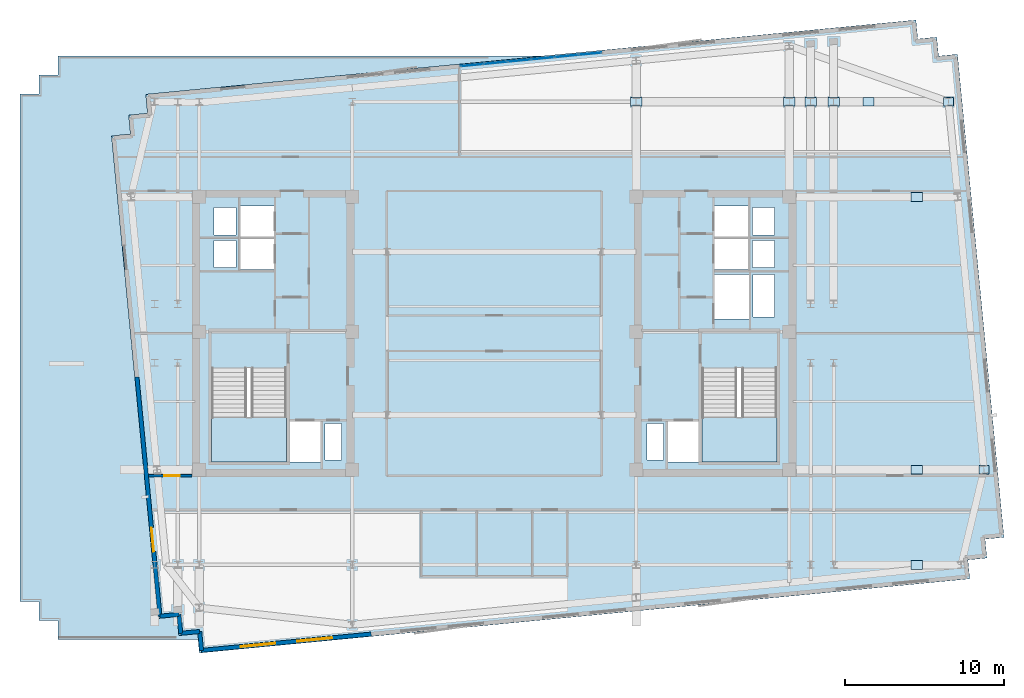
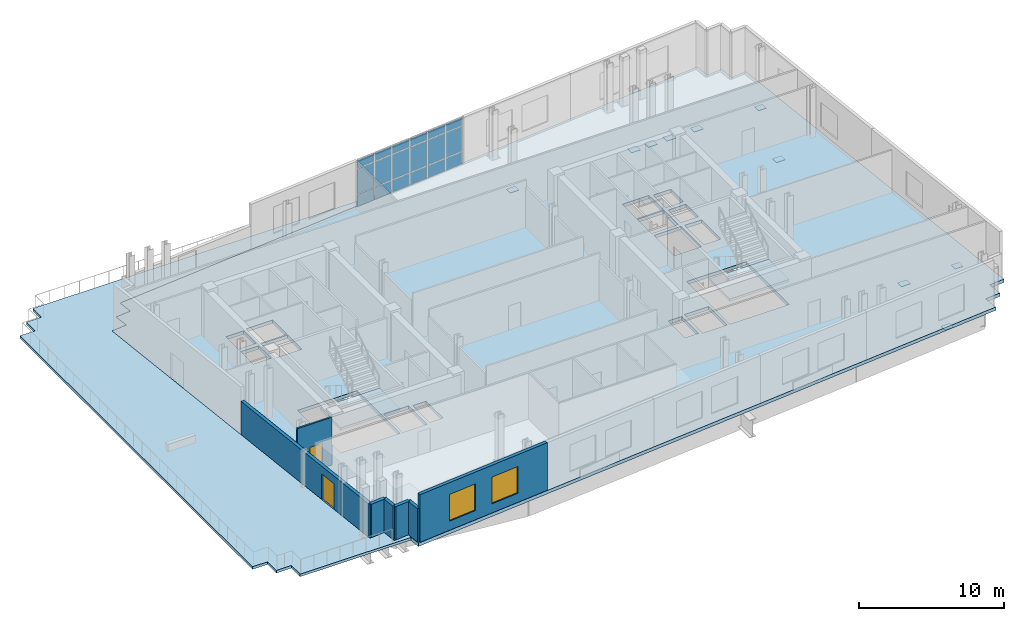
# One storey, part 4 of 11: 28 plates, 7 walls, 4 slabs, 2 doors, 2 windows, 4 openings, 3 elements without a shape of their own.
"""IFC4 building model written with IfcOpenShell, lengths in metres."""

from ifc_helpers import new_model, si_unit, direction, frame, frame_2d, origin, origin_2d, place, context, subcontext, project, spatial, polyline, rectangle, outline, extrude, material, layer, layer_set, type_object, element, fill, aggregate, save


model = new_model("IFC4")

# Units and contexts
model_context = context("Model", 3, precision=1e-05, world=origin(), true_north=direction((0.0, 1.0)))
body_context = subcontext(model_context, "Body", "Model", "MODEL_VIEW")
ifc_project = project(units=[si_unit("LENGTHUNIT", "METRE"), si_unit("AREAUNIT", "SQUARE_METRE"), si_unit("VOLUMEUNIT", "CUBIC_METRE"), si_unit("PLANEANGLEUNIT", "RADIAN"), si_unit("MASSUNIT", "GRAM", prefix="KILO")], contexts=[model_context])

# Site, building, storey
site_placement = place(None, origin())
site = spatial("IfcSite", under=ifc_project, at=site_placement, CompositionType="ELEMENT")
building_placement = place(site_placement, origin())
building = spatial("IfcBuilding", under=site, at=building_placement, Name="Velakula Bourse", CompositionType="ELEMENT")
storey_placement = place(building_placement, frame((0.0, 0.0, 247.5)))
storey = spatial("IfcBuildingStorey", under=building, at=storey_placement, Name="L67", CompositionType="ELEMENT", Elevation=247.5)

# Plates
ifc_material_1 = material(Name="Steel IS 2062 Grade 350 (E350)", Category="steel")
ifc_layer_1 = layer(ifc_material_1, 0.0400390625, Name="Steel IS 2062 Grade 350 (E350)", Category="steel")
ifc_layer_set_1 = layer_set([ifc_layer_1], Name="Steel IS 2062 Grade 350 (E350)")
plate_type_1 = type_object("IfcPlateType", Name="PLT-NODE-TRF", PredefinedType="USERDEFINED", material=ifc_layer_set_1)
for number, where, z_axis, x_axis, name in (
    (1, (8.949951171875, 14.60009765625, -1.050048828125), (0.0, 0.0, 1.0), (0.0, 1.0, 0.0), "L67 Cantilever Fulcrum Node Gusset Plate N3"),
    (2, (18.60009765625, 14.60009765625, -1.050048828125), (0.0, 0.0, 1.0), (0.0, 1.0, 0.0), "L67 Cantilever Fulcrum Node Gusset Plate N4"),
):
    element("IfcPlate", number, at=place(storey_placement, frame(where, z_axis=z_axis, x_axis=x_axis)), inside=storey, type_object=plate_type_1, Name=name, ObjectType="GUSSET PLATE", PredefinedType="USERDEFINED", context=body_context, shape_type="SweptSolid", body=[
        extrude(rectangle(XDim=0.56005859375, YDim=0.719970703125, at=origin_2d()), origin(), (0.0, 0.0, 1.0), 0.0400390625),
    ])
plate_1_placement = place(storey_placement, frame((26.64990234375, -14.60009765625, -1.050048828125), z_axis=(0.0, 0.0, 1.0), x_axis=(1.0, 0.0, 0.0)))
element("IfcPlate", 3, at=plate_1_placement, inside=storey, type_object=plate_type_1, Name="L67 Cantilever Fulcrum Node Gusset Plate E1", ObjectType="GUSSET PLATE", PredefinedType="USERDEFINED", context=body_context, shape_type="SweptSolid", body=[
    extrude(rectangle(XDim=0.719970703125, YDim=0.56005859375, at=origin_2d()), origin(), (0.0, 0.0, 1.0), 0.0400390625),
])
plate_2_placement = place(storey_placement, frame((30.87890625, -8.60009765625, -1.050048828125), z_axis=(0.0, 0.0, 1.0), x_axis=(1.0, 0.0, 0.0)))
element("IfcPlate", 4, at=plate_2_placement, inside=storey, type_object=plate_type_1, Name="L67 Transfer Raking Strut Head Gusset E2", ObjectType="GUSSET PLATE", PredefinedType="USERDEFINED", context=body_context, shape_type="SweptSolid", body=[
    extrude(rectangle(XDim=0.639892578125, YDim=0.56005859375, at=origin_2d()), origin(), (0.0, 0.0, 1.0), 0.0400390625),
])
for number, where, z_axis, x_axis, name in (
    (5, (26.64990234375, -8.60009765625, -1.050048828125), (0.0, 0.0, 1.0), (1.0, 0.0, 0.0), "L67 Cantilever Fulcrum Node Gusset Plate E2"),
    (6, (26.64990234375, 8.60009765625, -1.050048828125), (0.0, 0.0, 1.0), (1.0, 0.0, 0.0), "L67 Cantilever Fulcrum Node Gusset Plate E3"),
):
    element("IfcPlate", number, at=place(storey_placement, frame(where, z_axis=z_axis, x_axis=x_axis)), inside=storey, type_object=plate_type_1, Name=name, ObjectType="GUSSET PLATE", PredefinedType="USERDEFINED", context=body_context, shape_type="SweptSolid", body=[
        extrude(rectangle(XDim=0.719970703125, YDim=0.56005859375, at=origin_2d()), origin(), (0.0, 0.0, 1.0), 0.0400390625),
    ])
plate_3_placement = place(storey_placement, frame((28.64501953125, 14.60009765625, -1.050048828125), z_axis=(0.0, 0.0, 1.0), x_axis=(1.0, 0.0, 0.0)))
element("IfcPlate", 7, at=plate_3_placement, inside=storey, type_object=plate_type_1, Name="L67 Transfer Raking Strut Head Gusset E4", ObjectType="GUSSET PLATE", PredefinedType="USERDEFINED", context=body_context, shape_type="SweptSolid", body=[
    extrude(rectangle(XDim=0.639892578125, YDim=0.56005859375, at=origin_2d()), origin(), (0.0, 0.0, 1.0), 0.0400390625),
])
plate_4_placement = place(storey_placement, frame((23.60009765625, 14.60009765625, -1.050048828125), z_axis=(0.0, 0.0, 1.0), x_axis=(1.0, 0.0, 0.0)))
element("IfcPlate", 8, at=plate_4_placement, inside=storey, type_object=plate_type_1, Name="L67 Cantilever Fulcrum Node Gusset Plate E4", ObjectType="GUSSET PLATE", PredefinedType="USERDEFINED", context=body_context, shape_type="SweptSolid", body=[
    extrude(rectangle(XDim=0.719970703125, YDim=0.56005859375, at=origin_2d()), origin(), (0.0, 0.0, 1.0), 0.0400390625),
])
for number, where, z_axis, x_axis, name in (
    (9, (19.949951171875, 14.60009765625, -1.050048828125), (0.0, 0.0, 1.0), (0.0, 1.0, 0.0), "L67 Cantilever Fulcrum Node Gusset Plate P07"),
    (10, (21.39990234375, 14.60009765625, -1.050048828125), (0.0, 0.0, 1.0), (0.0, 1.0, 0.0), "L67 Cantilever Fulcrum Node Gusset Plate P08"),
):
    element("IfcPlate", number, at=place(storey_placement, frame(where, z_axis=z_axis, x_axis=x_axis)), inside=storey, type_object=plate_type_1, Name=name, ObjectType="GUSSET PLATE", PredefinedType="USERDEFINED", context=body_context, shape_type="SweptSolid", body=[
        extrude(rectangle(XDim=0.56005859375, YDim=0.719970703125, at=origin_2d()), origin(), (0.0, 0.0, 1.0), 0.0400390625),
    ])

# Curtain wall, plates
ifc_material_2 = material(Name="Anodised bronze architectural aluminium", Category="aluminium")
ifc_layer_2 = layer(ifc_material_2, 0.1650390625, Name="Anodised bronze architectural aluminium", Category="aluminium")
ifc_layer_set_2 = layer_set([ifc_layer_2], Name="Anodised bronze architectural aluminium")
curtain_wall_type = type_object("IfcCurtainWallType", Name="CW-SL1", PredefinedType="NOTDEFINED", material=ifc_layer_set_2)
curtain_wall_placement = place(storey_placement, origin())
curtain_wall = element("IfcCurtainWall", 11, at=curtain_wall_placement, inside=storey, type_object=curtain_wall_type, Name="L67 Sky-Lobby Feature Curtain Wall", PredefinedType="NOTDEFINED")
ifc_material_3 = material(Name="Double-glazed solar-control Low-E glass", Category="glass")
ifc_layer_3 = layer(ifc_material_3, 0.02490234375, Name="Double-glazed solar-control Low-E glass", Category="glass")
ifc_layer_set_3 = layer_set([ifc_layer_3], Name="Double-glazed solar-control Low-E glass")
plate_type_2 = type_object("IfcPlateType", Name="PNL-CW-SL1", PredefinedType="CURTAIN_PANEL", material=ifc_layer_set_3)
plate_5_placement = place(storey_placement, frame((-1.39990234375, 16.9111328125, 0.06005859375), z_axis=(0.0, 0.0, 1.0), x_axis=(0.995396358085, 0.095844093769, 0.0)))
plate_5 = element("IfcPlate", 12, at=plate_5_placement, type_object=plate_type_2, Name="CW-SL1 panel 1.1", PredefinedType="CURTAIN_PANEL", context=body_context, shape_type="SweptSolid", body=[
    extrude(rectangle(XDim=1.409912109375, YDim=0.028076171875, at=origin_2d()), origin(), (0.0, 0.0, 1.0), 1.010009765625),
])
plate_6_placement = place(storey_placement, frame((-1.39990234375, 16.9111328125, 1.1298828125), z_axis=(0.0, 0.0, 1.0), x_axis=(0.995396358085, 0.095844093769, 0.0)))
plate_6 = element("IfcPlate", 13, at=plate_6_placement, type_object=plate_type_2, Name="CW-SL1 panel 1.2", PredefinedType="CURTAIN_PANEL", context=body_context, shape_type="SweptSolid", body=[
    extrude(rectangle(XDim=1.409912109375, YDim=0.028076171875, at=origin_2d()), origin(), (0.0, 0.0, 1.0), 2.090087890625),
])
plate_7_placement = place(storey_placement, frame((-1.39990234375, 16.9111328125, 3.2802734375), z_axis=(0.0, 0.0, 1.0), x_axis=(0.995396358085, 0.095844093769, 0.0)))
plate_7 = element("IfcPlate", 14, at=plate_7_placement, type_object=plate_type_2, Name="CW-SL1 panel 1.3", PredefinedType="CURTAIN_PANEL", context=body_context, shape_type="SweptSolid", body=[
    extrude(rectangle(XDim=1.409912109375, YDim=0.028076171875, at=origin_2d()), origin(), (0.0, 0.0, 1.0), 0.659912109375),
])
plate_8_placement = place(storey_placement, frame((0.078369140625, 17.053466796875, 0.06005859375), z_axis=(0.0, 0.0, 1.0), x_axis=(0.995396358085, 0.095844093769, 0.0)))
plate_8 = element("IfcPlate", 15, at=plate_8_placement, type_object=plate_type_2, Name="CW-SL1 panel 2.1", PredefinedType="CURTAIN_PANEL", context=body_context, shape_type="SweptSolid", body=[
    extrude(rectangle(XDim=1.43994140625, YDim=0.028076171875, at=origin_2d()), origin(), (0.0, 0.0, 1.0), 1.010009765625),
])
plate_9_placement = place(storey_placement, frame((0.078369140625, 17.053466796875, 1.1298828125), z_axis=(0.0, 0.0, 1.0), x_axis=(0.995396358085, 0.095844093769, 0.0)))
plate_9 = element("IfcPlate", 16, at=plate_9_placement, type_object=plate_type_2, Name="CW-SL1 panel 2.2", PredefinedType="CURTAIN_PANEL", context=body_context, shape_type="SweptSolid", body=[
    extrude(rectangle(XDim=1.43994140625, YDim=0.028076171875, at=origin_2d()), origin(), (0.0, 0.0, 1.0), 2.090087890625),
])
plate_10_placement = place(storey_placement, frame((0.078369140625, 17.053466796875, 3.2802734375), z_axis=(0.0, 0.0, 1.0), x_axis=(0.995396358085, 0.095844093769, 0.0)))
plate_10 = element("IfcPlate", 17, at=plate_10_placement, type_object=plate_type_2, Name="CW-SL1 panel 2.3", PredefinedType="CURTAIN_PANEL", context=body_context, shape_type="SweptSolid", body=[
    extrude(rectangle(XDim=1.43994140625, YDim=0.028076171875, at=origin_2d()), origin(), (0.0, 0.0, 1.0), 0.659912109375),
])
plate_11_placement = place(storey_placement, frame((1.5712890625, 17.197265625, 0.06005859375), z_axis=(0.0, 0.0, 1.0), x_axis=(0.995396358085, 0.095844093769, 0.0)))
plate_11 = element("IfcPlate", 18, at=plate_11_placement, type_object=plate_type_2, Name="CW-SL1 panel 3.1", PredefinedType="CURTAIN_PANEL", context=body_context, shape_type="SweptSolid", body=[
    extrude(rectangle(XDim=1.43994140625, YDim=0.028076171875, at=origin_2d()), origin(), (0.0, 0.0, 1.0), 1.010009765625),
])
plate_12_placement = place(storey_placement, frame((1.5712890625, 17.197265625, 1.1298828125), z_axis=(0.0, 0.0, 1.0), x_axis=(0.995396358085, 0.095844093769, 0.0)))
plate_12 = element("IfcPlate", 19, at=plate_12_placement, type_object=plate_type_2, Name="CW-SL1 panel 3.2", PredefinedType="CURTAIN_PANEL", context=body_context, shape_type="SweptSolid", body=[
    extrude(rectangle(XDim=1.43994140625, YDim=0.028076171875, at=origin_2d()), origin(), (0.0, 0.0, 1.0), 2.090087890625),
])
plate_13_placement = place(storey_placement, frame((1.5712890625, 17.197265625, 3.2802734375), z_axis=(0.0, 0.0, 1.0), x_axis=(0.995396358085, 0.095844093769, 0.0)))
plate_13 = element("IfcPlate", 20, at=plate_13_placement, type_object=plate_type_2, Name="CW-SL1 panel 3.3", PredefinedType="CURTAIN_PANEL", context=body_context, shape_type="SweptSolid", body=[
    extrude(rectangle(XDim=1.43994140625, YDim=0.028076171875, at=origin_2d()), origin(), (0.0, 0.0, 1.0), 0.659912109375),
])
plate_14_placement = place(storey_placement, frame((3.064453125, 17.341064453125, 0.06005859375), z_axis=(0.0, 0.0, 1.0), x_axis=(0.995396358085, 0.095844093769, 0.0)))
plate_14 = element("IfcPlate", 21, at=plate_14_placement, type_object=plate_type_2, Name="CW-SL1 panel 4.1", PredefinedType="CURTAIN_PANEL", context=body_context, shape_type="SweptSolid", body=[
    extrude(rectangle(XDim=1.43994140625, YDim=0.028076171875, at=origin_2d()), origin(), (0.0, 0.0, 1.0), 1.010009765625),
])
plate_15_placement = place(storey_placement, frame((3.064453125, 17.341064453125, 1.1298828125), z_axis=(0.0, 0.0, 1.0), x_axis=(0.995396358085, 0.095844093769, 0.0)))
plate_15 = element("IfcPlate", 22, at=plate_15_placement, type_object=plate_type_2, Name="CW-SL1 panel 4.2", PredefinedType="CURTAIN_PANEL", context=body_context, shape_type="SweptSolid", body=[
    extrude(rectangle(XDim=1.43994140625, YDim=0.028076171875, at=origin_2d()), origin(), (0.0, 0.0, 1.0), 2.090087890625),
])
plate_16_placement = place(storey_placement, frame((3.064453125, 17.341064453125, 3.2802734375), z_axis=(0.0, 0.0, 1.0), x_axis=(0.995396358085, 0.095844093769, 0.0)))
plate_16 = element("IfcPlate", 23, at=plate_16_placement, type_object=plate_type_2, Name="CW-SL1 panel 4.3", PredefinedType="CURTAIN_PANEL", context=body_context, shape_type="SweptSolid", body=[
    extrude(rectangle(XDim=1.43994140625, YDim=0.028076171875, at=origin_2d()), origin(), (0.0, 0.0, 1.0), 0.659912109375),
])
plate_17_placement = place(storey_placement, frame((4.5576171875, 17.48486328125, 0.06005859375), z_axis=(0.0, 0.0, 1.0), x_axis=(0.995396358085, 0.095844093769, 0.0)))
plate_17 = element("IfcPlate", 24, at=plate_17_placement, type_object=plate_type_2, Name="CW-SL1 panel 5.1", PredefinedType="CURTAIN_PANEL", context=body_context, shape_type="SweptSolid", body=[
    extrude(rectangle(XDim=1.43994140625, YDim=0.028076171875, at=origin_2d()), origin(), (0.0, 0.0, 1.0), 1.010009765625),
])
plate_18_placement = place(storey_placement, frame((4.5576171875, 17.48486328125, 1.1298828125), z_axis=(0.0, 0.0, 1.0), x_axis=(0.995396358085, 0.095844093769, 0.0)))
plate_18 = element("IfcPlate", 25, at=plate_18_placement, type_object=plate_type_2, Name="CW-SL1 panel 5.2", PredefinedType="CURTAIN_PANEL", context=body_context, shape_type="SweptSolid", body=[
    extrude(rectangle(XDim=1.43994140625, YDim=0.028076171875, at=origin_2d()), origin(), (0.0, 0.0, 1.0), 2.090087890625),
])
plate_19_placement = place(storey_placement, frame((4.5576171875, 17.48486328125, 3.2802734375), z_axis=(0.0, 0.0, 1.0), x_axis=(0.995396358085, 0.095844093769, 0.0)))
plate_19 = element("IfcPlate", 26, at=plate_19_placement, type_object=plate_type_2, Name="CW-SL1 panel 5.3", PredefinedType="CURTAIN_PANEL", context=body_context, shape_type="SweptSolid", body=[
    extrude(rectangle(XDim=1.43994140625, YDim=0.028076171875, at=origin_2d()), origin(), (0.0, 0.0, 1.0), 0.659912109375),
])
plate_20_placement = place(storey_placement, frame((6.03564453125, 17.627197265625, 0.06005859375), z_axis=(0.0, 0.0, 1.0), x_axis=(0.995396358085, 0.095844093769, 0.0)))
plate_20 = element("IfcPlate", 27, at=plate_20_placement, type_object=plate_type_2, Name="CW-SL1 panel 6.1", PredefinedType="CURTAIN_PANEL", context=body_context, shape_type="SweptSolid", body=[
    extrude(rectangle(XDim=1.409912109375, YDim=0.028076171875, at=origin_2d()), origin(), (0.0, 0.0, 1.0), 1.010009765625),
])
plate_21_placement = place(storey_placement, frame((6.03564453125, 17.627197265625, 1.1298828125), z_axis=(0.0, 0.0, 1.0), x_axis=(0.995396358085, 0.095844093769, 0.0)))
plate_21 = element("IfcPlate", 28, at=plate_21_placement, type_object=plate_type_2, Name="CW-SL1 panel 6.2", PredefinedType="CURTAIN_PANEL", context=body_context, shape_type="SweptSolid", body=[
    extrude(rectangle(XDim=1.409912109375, YDim=0.028076171875, at=origin_2d()), origin(), (0.0, 0.0, 1.0), 2.090087890625),
])
plate_22_placement = place(storey_placement, frame((6.03564453125, 17.627197265625, 3.2802734375), z_axis=(0.0, 0.0, 1.0), x_axis=(0.995396358085, 0.095844093769, 0.0)))
plate_22 = element("IfcPlate", 29, at=plate_22_placement, type_object=plate_type_2, Name="CW-SL1 panel 6.3", PredefinedType="CURTAIN_PANEL", context=body_context, shape_type="SweptSolid", body=[
    extrude(rectangle(XDim=1.409912109375, YDim=0.028076171875, at=origin_2d()), origin(), (0.0, 0.0, 1.0), 0.659912109375),
])
aggregate(curtain_wall, [plate_5, plate_6, plate_7, plate_8, plate_9, plate_10, plate_11, plate_12, plate_13, plate_14, plate_15, plate_16, plate_17, plate_18, plate_19, plate_20, plate_21, plate_22])

# Stair, slab
ifc_material_4 = material(Name="Concrete M45 (fck 45 MPa)", Category="concrete")
stair_type = type_object("IfcStairType", Name="STR-DOG-435", PredefinedType="HALF_TURN_STAIR", material=ifc_material_4)
stair_1_placement = place(storey_placement, origin())
stair_1 = element("IfcStair", 30, at=stair_1_placement, inside=storey, type_object=stair_type, Name="L67 West Core Exit Stair ST-W1", PredefinedType="HALF_TURN_STAIR")
ifc_layer_4 = layer(ifc_material_4, 0.199951171875, Name="Concrete M45 (fck 45 MPa)", Category="concrete")
ifc_layer_set_4 = layer_set([ifc_layer_4], Name="Concrete M45 (fck 45 MPa)")
slab_type_1 = type_object("IfcSlabType", Name="SLB-STAIR-LND-200", PredefinedType="LANDING", material=ifc_layer_set_4)
slab_1_placement = place(storey_placement, frame((0.0, 0.0, 1.89990234375)))
slab_1 = element("IfcSlab", 31, at=slab_1_placement, type_object=slab_type_1, Name="ST-W1 landing 1", PredefinedType="LANDING", context=body_context, shape_type="SweptSolid", body=[
    extrude(outline(polyline([(-17.820068359375, -5.280029296875), (-17.820068359375, -8.10009765625), (-13.10009765625, -8.10009765625), (-13.10009765625, -5.280029296875), (-17.820068359375, -5.280029296875)])), origin(), (0.0, 0.0, 1.0), 0.2001953125),
])
aggregate(stair_1, [slab_1])

stair_2_placement = place(storey_placement, origin())
stair_2 = element("IfcStair", 32, at=stair_2_placement, inside=storey, type_object=stair_type, Name="L67 East Core Exit Stair ST-E1", PredefinedType="HALF_TURN_STAIR")
slab_2_placement = place(storey_placement, frame((0.0, 0.0, 1.89990234375)))
slab_2 = element("IfcSlab", 33, at=slab_2_placement, type_object=slab_type_1, Name="ST-E1 landing 1", PredefinedType="LANDING", context=body_context, shape_type="SweptSolid", body=[
    extrude(outline(polyline([(13.10009765625, -5.280029296875), (13.10009765625, -8.10009765625), (17.820068359375, -8.10009765625), (17.820068359375, -5.280029296875), (13.10009765625, -5.280029296875)])), origin(), (0.0, 0.0, 1.0), 0.2001953125),
])
aggregate(stair_2, [slab_2])

# Slabs
ifc_material_5 = material(Name="Concrete M50 (fck 50 MPa)", Category="concrete")
ifc_layer_5 = layer(ifc_material_5, 0.219970703125, Name="Concrete M50 (fck 50 MPa)", Category="concrete")
ifc_layer_set_5 = layer_set([ifc_layer_5], Name="Concrete M50 (fck 50 MPa)")
slab_type_2 = type_object("IfcSlabType", Name="SLB-TERR-220", PredefinedType="ROOF", material=ifc_layer_set_5)
slab_3_placement = place(storey_placement, frame((0.0, 0.0, -0.219970703125)))
element("IfcSlab", 34, at=slab_3_placement, inside=storey, type_object=slab_type_2, Name="L67 Block B6 Triple-Height Sky-Garden Veranda", PredefinedType="ROOF", context=body_context, shape_type="SweptSolid", body=[
    extrude(outline(polyline([(-27.5, -19.300048828125), (-27.5, -18.10009765625), (-28.699951171875, -18.10009765625), (-28.699951171875, -16.89990234375), (-29.89990234375, -16.89990234375), (-29.89990234375, 15.10009765625), (-28.699951171875, 15.10009765625), (-28.699951171875, 16.300048828125), (-27.5, 16.300048828125), (-27.5, 17.5), (3.3583984375, 17.5), (-21.96240234375, 15.06201171875), (-21.84912109375, 13.88720703125), (-21.84912109375, 13.885498046875), (-21.84912109375, 13.88330078125), (-21.849609375, 13.881591796875), (-21.85009765625, 13.879638671875), (-21.8505859375, 13.877685546875), (-21.8515625, 13.8759765625), (-21.8525390625, 13.874267578125), (-21.853759765625, 13.872802734375), (-21.85498046875, 13.87109375), (-21.8564453125, 13.869873046875), (-21.85791015625, 13.86865234375), (-21.859619140625, 13.86767578125), (-21.861572265625, 13.866943359375), (-21.86328125, 13.8662109375), (-21.865234375, 13.86572265625), (-21.8671875, 13.865478515625), (-23.041748046875, 13.75244140625), (-22.9287109375, 12.577880859375), (-22.9287109375, 12.575927734375), (-22.9287109375, 12.573974609375), (-22.928955078125, 12.572021484375), (-22.929443359375, 12.570068359375), (-22.93017578125, 12.568115234375), (-22.930908203125, 12.56640625), (-22.931884765625, 12.564697265625), (-22.93310546875, 12.563232421875), (-22.9345703125, 12.561767578125), (-22.935791015625, 12.560302734375), (-22.9375, 12.559326171875), (-22.939208984375, 12.558349609375), (-22.94091796875, 12.557373046875), (-22.94287109375, 12.556884765625), (-22.944580078125, 12.556396484375), (-22.94677734375, 12.555908203125), (-24.12109375, 12.44287109375), (-21.192138671875, -17.976318359375), (-20.017578125, -17.86328125), (-20.015625, -17.86328125), (-20.013671875, -17.86328125), (-20.01171875, -17.863525390625), (-20.010009765625, -17.864013671875), (-20.008056640625, -17.86474609375), (-20.006103515625, -17.865478515625), (-20.004638671875, -17.86669921875), (-20.0029296875, -17.867919921875), (-20.00146484375, -17.869140625), (-20.000244140625, -17.87060546875), (-19.9990234375, -17.8720703125), (-19.998046875, -17.873779296875), (-19.997314453125, -17.87548828125), (-19.99658203125, -17.87744140625), (-19.99609375, -17.87939453125), (-19.995849609375, -17.88134765625), (-19.8828125, -19.055908203125), (-18.7080078125, -18.94287109375), (-18.706298828125, -18.942626953125), (-18.7041015625, -18.94287109375), (-18.702392578125, -18.943115234375), (-18.700439453125, -18.943603515625), (-18.698486328125, -18.944091796875), (-18.69677734375, -18.945068359375), (-18.695068359375, -18.946044921875), (-18.693603515625, -18.947265625), (-18.69189453125, -18.948486328125), (-18.690673828125, -18.949951171875), (-18.689697265625, -18.95166015625), (-18.688720703125, -18.953369140625), (-18.687744140625, -18.955078125), (-18.68701171875, -18.956787109375), (-18.6865234375, -18.958740234375), (-18.686279296875, -18.960693359375), (-18.653564453125, -19.300048828125), (-27.5, -19.300048828125)])), origin(), (0.0, 0.0, 1.0), 0.219970703125),
])
ifc_layer_6 = layer(ifc_material_5, 0.280029296875, Name="Concrete M50 (fck 50 MPa)", Category="concrete")
ifc_layer_set_6 = layer_set([ifc_layer_6], Name="Concrete M50 (fck 50 MPa)")
slab_type_3 = type_object("IfcSlabType", Name="SLB-TRF-280", PredefinedType="FLOOR", material=ifc_layer_set_6)
slab_4_placement = place(storey_placement, frame((0.0, 0.0, -0.280029296875)))
element("IfcSlab", 35, at=slab_4_placement, inside=storey, type_object=slab_type_3, Name="L67 Suspended Structural Floor Slab", PredefinedType="FLOOR", context=body_context, shape_type="SweptSolid", body=[
    extrude(outline(polyline([(-18.59130859375, -20.1572265625), (29.984130859375, -15.47998046875), (29.869140625, -14.285400390625), (31.0634765625, -14.17041015625), (30.948486328125, -12.975830078125), (32.14306640625, -12.86083984375), (29.210205078125, 17.59814453125), (28.015625, 17.483154296875), (27.900634765625, 18.677734375), (26.706298828125, 18.562744140625), (26.59130859375, 19.757080078125), (-21.984130859375, 15.079833984375), (-21.869140625, 13.885498046875), (-23.0634765625, 13.7705078125), (-22.948486328125, 12.575927734375), (-24.14306640625, 12.4609375), (-21.210205078125, -17.998291015625), (-20.015625, -17.88330078125), (-19.900634765625, -19.07763671875), (-18.706298828125, -18.962646484375), (-18.59130859375, -20.1572265625)]), holes=[polyline([(-17.820068359375, -8.10009765625), (-13.10009765625, -8.10009765625), (-13.10009765625, -2.199951171875), (-17.820068359375, -2.199951171875), (-17.820068359375, -8.10009765625)]), polyline([(13.10009765625, -8.10009765625), (17.820068359375, -8.10009765625), (17.820068359375, -2.199951171875), (13.10009765625, -2.199951171875), (13.10009765625, -8.10009765625)]), polyline([(-12.89990234375, -8.10009765625), (-10.949951171875, -8.10009765625), (-10.949951171875, -5.550048828125), (-12.89990234375, -5.550048828125), (-12.89990234375, -8.10009765625)]), polyline([(10.949951171875, -8.10009765625), (12.89990234375, -8.10009765625), (12.89990234375, -5.550048828125), (10.949951171875, -5.550048828125), (10.949951171875, -8.10009765625)]), polyline([(13.89990234375, 0.919921875), (16.050048828125, 0.919921875), (16.050048828125, 3.719970703125), (13.89990234375, 3.719970703125), (13.89990234375, 0.919921875)]), polyline([(-10.679931640625, -7.97998046875), (-9.6201171875, -7.97998046875), (-9.6201171875, -5.669921875), (-10.679931640625, -5.669921875), (-10.679931640625, -7.97998046875)]), polyline([(-17.679931640625, 4.139892578125), (-16.27001953125, 4.139892578125), (-16.27001953125, 5.85009765625), (-17.679931640625, 5.85009765625), (-17.679931640625, 4.139892578125)]), polyline([(-17.679931640625, 6.2099609375), (-16.27001953125, 6.2099609375), (-16.27001953125, 7.919921875), (-17.679931640625, 7.919921875), (-17.679931640625, 6.2099609375)]), polyline([(9.6201171875, -7.97998046875), (10.679931640625, -7.97998046875), (10.679931640625, -5.669921875), (9.6201171875, -5.669921875), (9.6201171875, -7.97998046875)]), polyline([(16.27001953125, 4.139892578125), (17.679931640625, 4.139892578125), (17.679931640625, 5.85009765625), (16.27001953125, 5.85009765625), (16.27001953125, 4.139892578125)]), polyline([(16.27001953125, 6.2099609375), (17.679931640625, 6.2099609375), (17.679931640625, 7.919921875), (16.27001953125, 7.919921875), (16.27001953125, 6.2099609375)]), polyline([(16.320068359375, 1.0400390625), (17.679931640625, 1.0400390625), (17.679931640625, 3.699951171875), (16.320068359375, 3.699951171875), (16.320068359375, 1.0400390625)]), polyline([(-16.0, 4.02001953125), (-13.89990234375, 4.02001953125), (-13.89990234375, 5.969970703125), (-16.0, 5.969970703125), (-16.0, 4.02001953125)]), polyline([(-16.0, 6.090087890625), (-13.89990234375, 6.090087890625), (-13.89990234375, 8.0400390625), (-16.0, 8.0400390625), (-16.0, 6.090087890625)]), polyline([(13.89990234375, 4.02001953125), (16.0, 4.02001953125), (16.0, 5.969970703125), (13.89990234375, 5.969970703125), (13.89990234375, 4.02001953125)]), polyline([(13.89990234375, 6.090087890625), (16.0, 6.090087890625), (16.0, 8.0400390625), (13.89990234375, 8.0400390625), (13.89990234375, 6.090087890625)])]), origin(), (0.0, 0.0, 1.0), 0.280029296875),
])

# Wall, openings, windows
ifc_material_6 = material(Name="Buff kilned clay facing brick masonry", Category="masonry")
ifc_layer_7 = layer(ifc_material_6, 0.260009765625, Name="Buff kilned clay facing brick masonry", Category="masonry")
ifc_layer_set_7 = layer_set([ifc_layer_7], Name="Buff kilned clay facing brick masonry")
wall_type_1 = type_object("IfcWallType", Name="WL-EXT-BRK-260", PredefinedType="STANDARD", material=ifc_layer_set_7)
wall_1_placement = place(storey_placement, frame((-7.755859375, -18.963134765625, 0.0), z_axis=(0.0, 0.0, 1.0), x_axis=(-0.995396745868, -0.095840066339, 0.0)))
wall_1 = element("IfcWall", 36, at=wall_1_placement, inside=storey, type_object=wall_type_1, Name="L67 S Brick Spandrel Wall B1", PredefinedType="STANDARD", context=body_context, shape_type="SweptSolid", body=[
    extrude(rectangle(XDim=10.75, YDim=0.260009765625, at=frame_2d((5.375, 0.0))), origin(), (0.0, 0.0, 1.0), 4.0),
])
opening_1_placement = place(wall_1_placement, frame((2.4833984375, 0.0, 0.760009765625)))
opening_1 = element("IfcOpeningElement", 37, at=opening_1_placement, cuts=wall_1, Name="Opening W-08", PredefinedType="OPENING", context=body_context, shape_type="SweptSolid", body=[
    extrude(rectangle(XDim=2.199951171875, YDim=2.25, at=frame_2d((1.10009765625, 1.125))), frame((0.0, 0.139892578125, 0.0), z_axis=(0.0, -1.0, 0.0), x_axis=(1.0, 0.0, 0.0)), (0.0, 0.0, 1.0), 0.280029296875),
])
opening_2_placement = place(wall_1_placement, frame((6.066650390625, 0.0, 0.760009765625)))
opening_2 = element("IfcOpeningElement", 38, at=opening_2_placement, cuts=wall_1, Name="Opening W-08", PredefinedType="OPENING", context=body_context, shape_type="SweptSolid", body=[
    extrude(rectangle(XDim=2.199951171875, YDim=2.25, at=frame_2d((1.10009765625, 1.125))), frame((0.0, 0.139892578125, 0.0), z_axis=(0.0, -1.0, 0.0), x_axis=(1.0, 0.0, 0.0)), (0.0, 0.0, 1.0), 0.280029296875),
])
window_type = type_object("IfcWindowType", Name="WIN-SL-2200x2500", PartitioningType="DOUBLE_PANEL_VERTICAL", PredefinedType="WINDOW", material=ifc_material_3)
window_1_placement = place(opening_1_placement, origin())
window_1 = element("IfcWindow", 39, at=window_1_placement, inside=storey, type_object=window_type, Name="L67 Deep-Set Recessed Window 1", OverallHeight=2.25, OverallWidth=2.199951171875, PartitioningType="DOUBLE_PANEL_VERTICAL", PredefinedType="WINDOW", context=body_context, shape_type="SweptSolid", body=[
    extrude(rectangle(XDim=2.199951171875, YDim=2.25, at=frame_2d((1.10009765625, 1.125))), frame((0.0, 0.030029296875, 0.0), z_axis=(0.0, -1.0, 0.0), x_axis=(1.0, 0.0, 0.0)), (0.0, 0.0, 1.0), 0.06005859375),
])
fill(opening_1, window_1)
window_2_placement = place(opening_2_placement, origin())
window_2 = element("IfcWindow", 40, at=window_2_placement, inside=storey, type_object=window_type, Name="L67 Deep-Set Recessed Window 2", OverallHeight=2.25, OverallWidth=2.199951171875, PartitioningType="DOUBLE_PANEL_VERTICAL", PredefinedType="WINDOW", context=body_context, shape_type="SweptSolid", body=[
    extrude(rectangle(XDim=2.199951171875, YDim=2.25, at=frame_2d((1.10009765625, 1.125))), frame((0.0, 0.030029296875, 0.0), z_axis=(0.0, -1.0, 0.0), x_axis=(1.0, 0.0, 0.0)), (0.0, 0.0, 1.0), 0.06005859375),
])
fill(opening_2, window_2)

# Wall, opening, door
wall_2_placement = place(storey_placement, frame((-21.0751953125, -17.83447265625, 0.0), z_axis=(0.0, 0.0, 1.0), x_axis=(-0.095852427869, 0.995395555582, 0.0)))
wall_2 = element("IfcWall", 41, at=wall_2_placement, inside=storey, type_object=wall_type_1, Name="L67 W Brick End Wall W1", PredefinedType="STANDARD", context=body_context, shape_type="SweptSolid", body=[
    extrude(rectangle(XDim=15.14990234375, YDim=0.260009765625, at=frame_2d((7.574951171875, 0.0))), origin(), (0.0, 0.0, 1.0), 2.794921875),
])
opening_3_placement = place(wall_2_placement, frame((4.097900390625, 0.0, 0.0)))
opening_3 = element("IfcOpeningElement", 42, at=opening_3_placement, cuts=wall_2, Name="Opening D-TR1", PredefinedType="OPENING", context=body_context, shape_type="SweptSolid", body=[
    extrude(rectangle(XDim=1.5, YDim=2.14990234375, at=frame_2d((0.75, 1.074951171875))), frame((0.0, 0.139892578125, 0.0), z_axis=(0.0, -1.0, 0.0), x_axis=(1.0, 0.0, 0.0)), (0.0, 0.0, 1.0), 0.280029296875),
])
door_type_1 = type_object("IfcDoorType", Name="DR-EXT-TERR-1500", OperationType="DOUBLE_DOOR_SINGLE_SWING", PredefinedType="DOOR", material=ifc_material_2)
door_1_placement = place(opening_3_placement, origin())
door_1 = element("IfcDoor", 43, at=door_1_placement, inside=storey, type_object=door_type_1, Name="L67 Sky-Garden Terrace Access Door 2", OperationType="DOUBLE_DOOR_SINGLE_SWING", OverallHeight=2.14990234375, OverallWidth=1.5, PredefinedType="DOOR", context=body_context, shape_type="SweptSolid", body=[
    extrude(rectangle(XDim=1.5, YDim=2.14990234375, at=frame_2d((0.75, 1.074951171875))), frame((0.0, 0.02490234375, 0.0), z_axis=(0.0, -1.0, 0.0), x_axis=(1.0, 0.0, 0.0)), (0.0, 0.0, 1.0), 0.050048828125),
])
fill(opening_3, door_1)

# Walls
wall_3_placement = place(storey_placement, frame((-21.0751953125, -17.83447265625, 0.0), z_axis=(0.0, 0.0, 1.0), x_axis=(0.995397091755, 0.095836473879, 0.0)))
element("IfcWall", 44, at=wall_3_placement, inside=storey, type_object=wall_type_1, Name="L67 Serrated Corner Brick Wall SW-1", PredefinedType="STANDARD", context=body_context, shape_type="SweptSolid", body=[
    extrude(rectangle(XDim=1.199951171875, YDim=0.260009765625, at=frame_2d((0.60009765625, 0.0))), origin(), (0.0, 0.0, 1.0), 2.794921875),
])
for number, where, z_axis, x_axis, name in (
    (45, (-19.880859375, -17.719482421875, 0.0), (0.0, 0.0, 1.0), (0.095817067274, -0.995398960025, 0.0), "L67 Serrated Corner Brick Wall SW-2"),
    (46, (-19.765869140625, -18.9140625, 0.0), (0.0, 0.0, 1.0), (0.995398960025, 0.095817067274, 0.0), "L67 Serrated Corner Brick Wall SW-3"),
):
    element("IfcWall", number, at=place(storey_placement, frame(where, z_axis=z_axis, x_axis=x_axis)), inside=storey, type_object=wall_type_1, Name=name, PredefinedType="STANDARD", context=body_context, shape_type="SweptSolid", body=[
        extrude(rectangle(XDim=1.2001953125, YDim=0.260009765625, at=frame_2d((0.60009765625, 0.0))), origin(), (0.0, 0.0, 1.0), 2.794921875),
    ])
wall_4_placement = place(storey_placement, frame((-18.5712890625, -18.799072265625, 0.0), z_axis=(0.0, 0.0, 1.0), x_axis=(0.095836473879, -0.995397091755, 0.0)))
element("IfcWall", 47, at=wall_4_placement, inside=storey, type_object=wall_type_1, Name="L67 Serrated Corner Brick Wall SW-4", PredefinedType="STANDARD", context=body_context, shape_type="SweptSolid", body=[
    extrude(rectangle(XDim=1.199951171875, YDim=0.260009765625, at=frame_2d((0.60009765625, 0.0))), origin(), (0.0, 0.0, 1.0), 2.794921875),
])

# Wall, opening, door
ifc_material_7 = material(Name="Fire-rated double-layer gypsum drywall partition", Category="gypsum")
ifc_layer_8 = layer(ifc_material_7, 0.139892578125, Name="Fire-rated double-layer gypsum drywall partition", Category="gypsum")
ifc_layer_set_8 = layer_set([ifc_layer_8], Name="Fire-rated double-layer gypsum drywall partition")
wall_type_2 = type_object("IfcWallType", Name="WL-PART-140", PredefinedType="STANDARD", material=ifc_layer_set_8)
wall_5_placement = place(storey_placement, frame((-21.797119140625, -8.97998046875, 0.0), z_axis=(0.0, 0.0, 1.0), x_axis=(1.0, 0.0, 0.0)))
wall_5 = element("IfcWall", 48, at=wall_5_placement, inside=storey, type_object=wall_type_2, Name="L67 Interior Partition WL-INT-L67-W-SC", PredefinedType="STANDARD", context=body_context, shape_type="SweptSolid", body=[
    extrude(rectangle(XDim=2.7470703125, YDim=0.139892578125, at=frame_2d((1.37353515625, 0.0))), origin(), (0.0, 0.0, 1.0), 4.0),
])
opening_4_placement = place(wall_5_placement, frame((0.984375, 0.0, 0.0)))
opening_4 = element("IfcOpeningElement", 49, at=opening_4_placement, cuts=wall_5, Name="Opening D-OF1", PredefinedType="OPENING", context=body_context, shape_type="SweptSolid", body=[
    extrude(rectangle(XDim=1.0, YDim=2.080078125, at=frame_2d((0.5, 1.0400390625))), frame((0.0, 0.079833984375, 0.0), z_axis=(0.0, -1.0, 0.0), x_axis=(1.0, 0.0, 0.0)), (0.0, 0.0, 1.0), 0.159912109375),
])
ifc_material_8 = material(Name="Fire-rated hardwood flush architectural door", Category="wood")
door_type_2 = type_object("IfcDoorType", Name="DR-OFF-1000", OperationType="NOTDEFINED", PredefinedType="DOOR", material=ifc_material_8)
door_2_placement = place(opening_4_placement, origin())
door_2 = element("IfcDoor", 50, at=door_2_placement, inside=storey, type_object=door_type_2, Name="L67 Market Surveillance Control Workspace Door", OperationType="SINGLE_SWING_LEFT", OverallHeight=2.080078125, OverallWidth=1.0, PredefinedType="DOOR", context=body_context, shape_type="SweptSolid", body=[
    extrude(rectangle(XDim=1.0, YDim=2.080078125, at=frame_2d((0.5, 1.0400390625))), frame((0.0, 0.02490234375, 0.0), z_axis=(0.0, -1.0, 0.0), x_axis=(1.0, 0.0, 0.0)), (0.0, 0.0, 1.0), 0.050048828125),
])
fill(opening_4, door_2)

save(model, "model.ifc")
